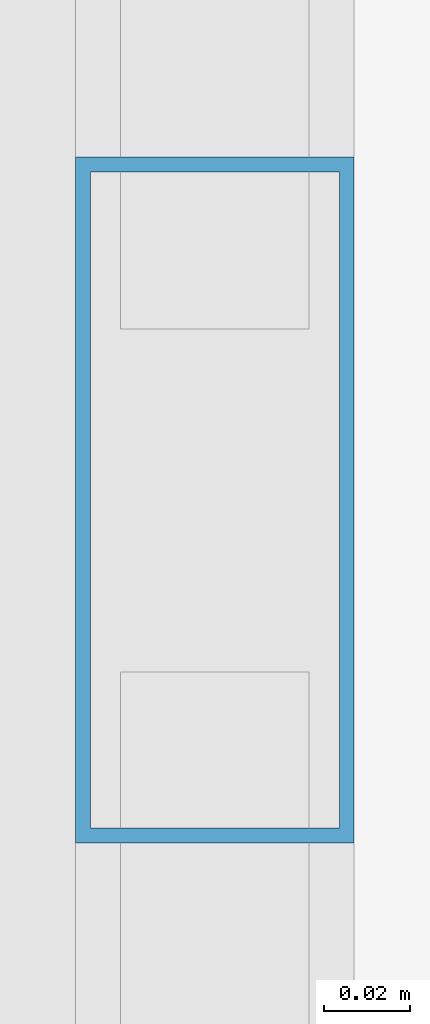
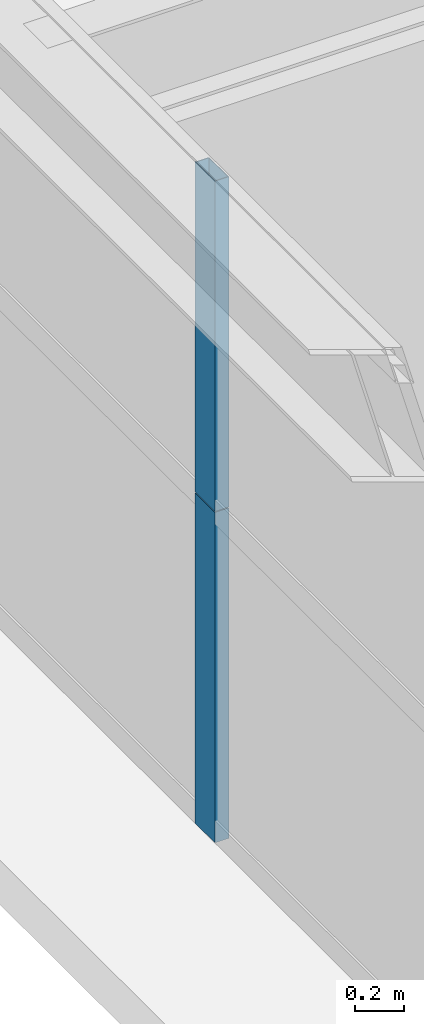
# One storey, part 14 of 45: 2 members, 1 element without a shape of its own.
"""IFC4 building model written with IfcOpenShell, lengths in metres."""

from ifc_helpers import new_model, si_unit, direction, frame, origin, origin_2d, place, context, subcontext, project, spatial, hollow_rectangle, extrude, source, transform, mapped, material, layer, layer_set, material_profile, profile_set, type_object, element, aggregate, save


model = new_model("IFC4")

# Units and contexts
model_context = context("Model", 3, precision=1e-05, world=origin(), true_north=direction((0.0, 1.0)))
body_context = subcontext(model_context, "Body", "Model", "MODEL_VIEW")
ifc_project = project(units=[si_unit("LENGTHUNIT", "METRE"), si_unit("AREAUNIT", "SQUARE_METRE"), si_unit("VOLUMEUNIT", "CUBIC_METRE"), si_unit("PLANEANGLEUNIT", "RADIAN"), si_unit("MASSUNIT", "GRAM", prefix="KILO"), si_unit("THERMODYNAMICTEMPERATUREUNIT", "KELVIN"), si_unit("POWERUNIT", "WATT")], contexts=[model_context])

# Site, building, storey
site_placement = place(None, origin())
site = spatial("IfcSite", under=ifc_project, at=site_placement, CompositionType="ELEMENT")
building_placement = place(site_placement, origin())
building = spatial("IfcBuilding", under=site, at=building_placement, Name="Yuzanri Waterfront Tower", CompositionType="ELEMENT")
storey_placement = place(building_placement, frame((0.0, 0.0, 198.5)))
storey = spatial("IfcBuildingStorey", under=building, at=storey_placement, Name="L52", CompositionType="ELEMENT", Elevation=198.5)

# Curtain wall, members
ifc_material_1 = material(Name="Anodized Architectural Bronze", Category="metal")
ifc_layer = layer(ifc_material_1, 0.159912109375)
ifc_layer_set = layer_set([ifc_layer], Name="Anodized Architectural Bronze")
curtain_wall_type = type_object("IfcCurtainWallType", Name="Anodized Bronze Mid-Rise Residential Acoustic Unitized Curtain Wall 7200", PredefinedType="NOTDEFINED", material=ifc_layer_set)
curtain_wall_placement = place(storey_placement, origin())
curtain_wall = element("IfcCurtainWall", 1, at=curtain_wall_placement, inside=storey, type_object=curtain_wall_type, Name="L52 Curtain Wall CW-L52-WL", PredefinedType="NOTDEFINED")
ifc_material_2 = material(Name="Anodized Architectural Bronze", Category="metal")
ifc_material_profile = material_profile(ifc_material_2, hollow_rectangle(XDim=0.06494140625, YDim=0.159912109375, WallThickness=0.00341796875, at=origin_2d()), Name="CWM 65x160")
ifc_profile_set = profile_set([ifc_material_profile], Name="Anodized Architectural Bronze")
member_type = type_object("IfcMemberType", Name="Anodized Bronze Upper-Zone Curtain-Wall Mullion 65x160", PredefinedType="MULLION", material=ifc_profile_set)
shared_shape = source(origin(), body_context, "Body", "SweptSolid", [
    extrude(hollow_rectangle(XDim=0.06494140625, YDim=0.159912109375, WallThickness=0.00341796875, at=origin_2d()), origin(), (0.0, 0.0, 1.0), 1.637939453125),
])
member_1_placement = place(storey_placement, frame((15.050048828125, 18.22509765625, 0.0), z_axis=(0.0, 0.0, 1.0), x_axis=(1.0, 0.0, 0.0)))
member_1 = element("IfcMember", 2, at=member_1_placement, type_object=member_type, Name="CW-L52-WL Lower Mullion 01", PredefinedType="MULLION", context=body_context, shape_type="MappedRepresentation", body=[
    mapped(shared_shape, transform((0.0, 0.0, 0.0), scale=1.0)),
])
member_2_placement = place(storey_placement, frame((15.050048828125, 18.22509765625, 1.64208984375), z_axis=(0.0, 0.0, 1.0), x_axis=(1.0, 0.0, 0.0)))
member_2 = element("IfcMember", 3, at=member_2_placement, type_object=member_type, Name="CW-L52-WL Upper Mullion 01", PredefinedType="MULLION", context=body_context, shape_type="MappedRepresentation", body=[
    mapped(shared_shape, transform((0.0, 0.0, 0.0), scale=1.0)),
])
aggregate(curtain_wall, [member_1, member_2])

save(model, "model.ifc")
